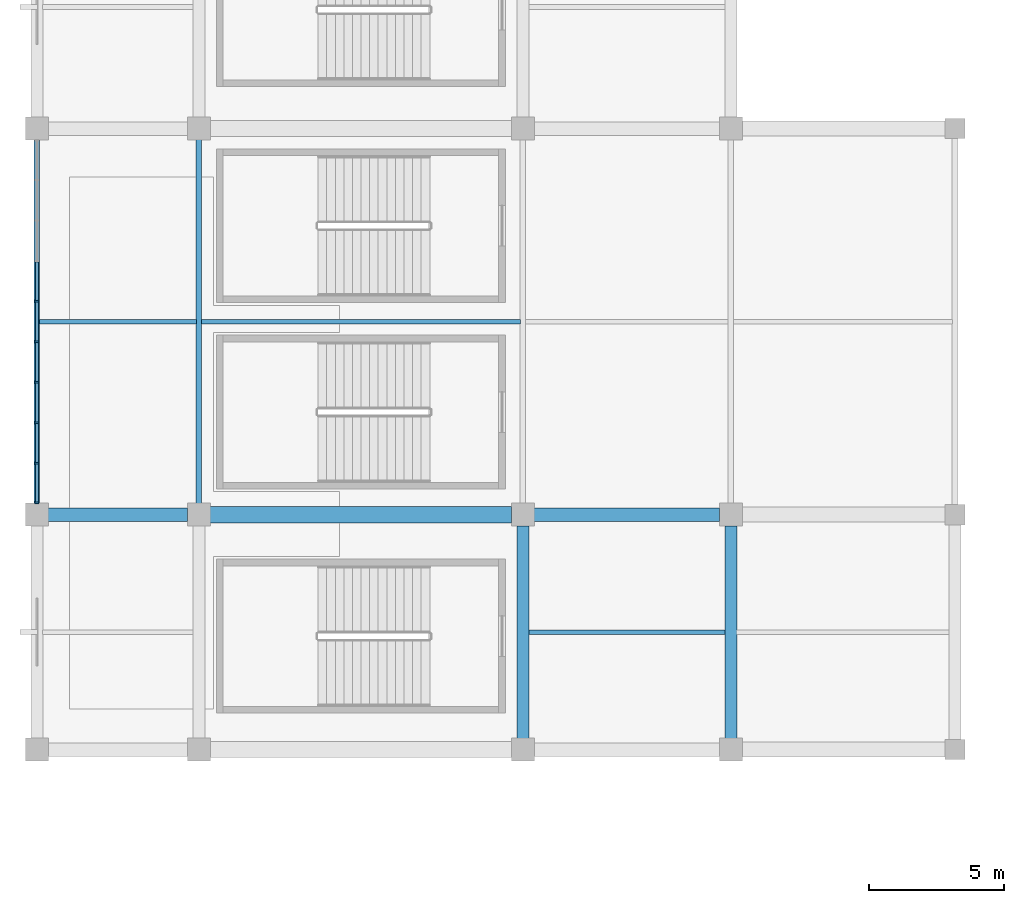
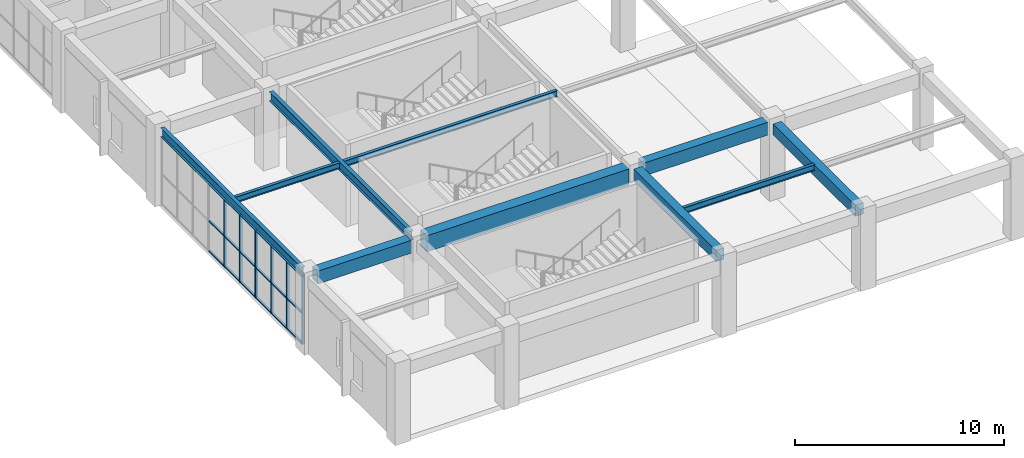
# One storey, part 14 of 112: 24 members, 10 beams, 1 element without a shape of its own.
"""IFC4 building model written with IfcOpenShell, lengths in metres."""

from ifc_helpers import new_model, si_unit, direction, frame, origin, origin_2d, place, context, subcontext, project, spatial, rectangle, i_section, extrude, material, material_profile, profile_set, type_object, element, aggregate, save


model = new_model("IFC4")

# Units and contexts
model_context = context("Model", 3, precision=1e-05, world=origin(), true_north=direction((0.0, 1.0)))
body_context = subcontext(model_context, "Body", "Model", "MODEL_VIEW")
ifc_project = project(units=[si_unit("LENGTHUNIT", "METRE"), si_unit("AREAUNIT", "SQUARE_METRE"), si_unit("VOLUMEUNIT", "CUBIC_METRE"), si_unit("PLANEANGLEUNIT", "RADIAN"), si_unit("MASSUNIT", "GRAM", prefix="KILO")], contexts=[model_context])

# Site, building, storey
site_placement = place(None, origin())
site = spatial("IfcSite", under=ifc_project, at=site_placement, CompositionType="ELEMENT")
building_placement = place(site_placement, origin())
building = spatial("IfcBuilding", under=site, at=building_placement, Name="Cuetzalor Civic Arena", CompositionType="ELEMENT")
storey_placement = place(building_placement, frame((0.0, 0.0, 11.39990234375)))
storey = spatial("IfcBuildingStorey", under=building, at=storey_placement, Name="L02", CompositionType="ELEMENT", Elevation=11.39990234375)

# Beams
ifc_material_1 = material(Name="Concrete C40/50", Category="concrete")
ifc_material_profile_1 = material_profile(ifc_material_1, rectangle(XDim=0.5, YDim=0.75, at=origin_2d()), Name="RC 500x750")
ifc_profile_set_1 = profile_set([ifc_material_profile_1], Name="Concrete C40/50")
beam_type_1 = type_object("IfcBeamType", Name="ConcreteFrameBeam_500x750", PredefinedType="BEAM", material=ifc_profile_set_1)
beam_1_placement = place(storey_placement, frame((-81.5849609375, -48.300048828125, 4.14501953125), z_axis=(1.0, 0.0, 0.0), x_axis=(0.0, 1.0, 0.0)))
element("IfcBeam", 1, at=beam_1_placement, inside=storey, type_object=beam_type_1, Name="Frame Girder V4W-L02-X0626", PredefinedType="BEAM", context=body_context, shape_type="SweptSolid", body=[
    extrude(rectangle(XDim=0.5, YDim=0.75, at=origin_2d()), origin(), (0.0, 0.0, 1.0), 5.169921875),
])
beam_2_placement = place(storey_placement, frame((-63.5849609375, -48.300048828125, 4.14501953125), z_axis=(1.0, 0.0, 0.0), x_axis=(0.0, 1.0, 0.0)))
element("IfcBeam", 2, at=beam_2_placement, inside=storey, type_object=beam_type_1, Name="Frame Girder V4W-L02-X0628", PredefinedType="BEAM", context=body_context, shape_type="SweptSolid", body=[
    extrude(rectangle(XDim=0.5, YDim=0.75, at=origin_2d()), origin(), (0.0, 0.0, 1.0), 6.869873046875),
])
ifc_material_2 = material(Name="Concrete C40/50", Category="concrete")
ifc_material_profile_2 = material_profile(ifc_material_2, rectangle(XDim=0.60009765625, YDim=0.949951171875, at=origin_2d()), Name="RC 600x950")
ifc_profile_set_2 = profile_set([ifc_material_profile_2], Name="Concrete C40/50")
beam_type_2 = type_object("IfcBeamType", Name="ConcreteFrameBeam_600x950", PredefinedType="BEAM", material=ifc_profile_set_2)
beam_3_placement = place(storey_placement, frame((-75.5849609375, -48.300048828125, 4.045166015625), z_axis=(1.0, 0.0, 0.0), x_axis=(0.0, 1.0, 0.0)))
element("IfcBeam", 3, at=beam_3_placement, inside=storey, type_object=beam_type_2, Name="Frame Girder V4W-L02-X0627", PredefinedType="BEAM", context=body_context, shape_type="SweptSolid", body=[
    extrude(rectangle(XDim=0.60009765625, YDim=0.949951171875, at=origin_2d()), origin(), (0.0, 0.0, 1.0), 11.169921875),
])
ifc_material_3 = material(Name="Concrete C40/50", Category="concrete")
ifc_material_profile_3 = material_profile(ifc_material_3, rectangle(XDim=0.449951171875, YDim=0.64990234375, at=origin_2d()), Name="RC 450x650")
ifc_profile_set_3 = profile_set([ifc_material_profile_3], Name="Concrete C40/50")
beam_type_3 = type_object("IfcBeamType", Name="ConcreteTieBeam_450x650", PredefinedType="BEAM", material=ifc_profile_set_3)
for number, where, z_axis, x_axis, name in (
    (4, (-64.0, -56.5849609375, 4.195068359375), (0.0, 1.0, 0.0), (-1.0, 0.0, 0.0), "Frame Girder V4W-L02-Y0678"),
    (5, (-56.300048828125, -56.5849609375, 4.135009765625), (0.0, 1.0, 0.0), (-1.0, 0.0, 0.0), "Frame Girder V4W-L02-Y0688"),
):
    element("IfcBeam", number, at=place(storey_placement, frame(where, z_axis=z_axis, x_axis=x_axis)), inside=storey, type_object=beam_type_3, Name=name, PredefinedType="BEAM", context=body_context, shape_type="SweptSolid", body=[
        extrude(rectangle(XDim=0.449951171875, YDim=0.64990234375, at=origin_2d()), origin(), (0.0, 0.0, 1.0), 7.869873046875),
    ])

# Curtain wall, members
ifc_material_4 = material(Name="Anodised dark bronze aluminium and low-E solar glass", Category="aluminium")
curtain_wall_type = type_object("IfcCurtainWallType", Name="UnitisedCW_13500x4000", PredefinedType="USERDEFINED", material=ifc_material_4)
curtain_wall_placement = place(storey_placement, origin())
curtain_wall = element("IfcCurtainWall", 6, at=curtain_wall_placement, inside=storey, type_object=curtain_wall_type, Name="V4W Suite Viewing Curtain Wall L02-113", ObjectType="UNITISED CURTAIN WALL", PredefinedType="USERDEFINED")
ifc_material_5 = material(Name="Anodised dark bronze aluminium", Category="aluminium")
ifc_material_profile_4 = material_profile(ifc_material_5, rectangle(XDim=0.06494140625, YDim=0.14990234375, at=origin_2d()), Name="ALU MULLION 65x150")
ifc_profile_set_4 = profile_set([ifc_material_profile_4], Name="Anodised dark bronze aluminium")
member_type_1 = type_object("IfcMemberType", Name="CurtainWallMullion_60x150", PredefinedType="MULLION", material=ifc_profile_set_4)
member_1_placement = place(storey_placement, frame((-82.0, -47.860595703125, 0.0), z_axis=(0.0, 0.0, 1.0), x_axis=(0.0, 1.0, 0.0)))
member_1 = element("IfcMember", 7, at=member_1_placement, type_object=member_type_1, Name="CW-40 mullion 1", PredefinedType="MULLION", context=body_context, shape_type="SweptSolid", body=[
    extrude(rectangle(XDim=0.06494140625, YDim=0.14990234375, at=origin_2d()), origin(), (0.0, 0.0, 1.0), 3.97705078125),
])
member_2_placement = place(storey_placement, frame((-82.0, -46.39453125, 0.0), z_axis=(0.0, 0.0, 1.0), x_axis=(0.0, 1.0, 0.0)))
member_2 = element("IfcMember", 8, at=member_2_placement, type_object=member_type_1, Name="CW-40 mullion 2", PredefinedType="MULLION", context=body_context, shape_type="SweptSolid", body=[
    extrude(rectangle(XDim=0.06494140625, YDim=0.14990234375, at=origin_2d()), origin(), (0.0, 0.0, 1.0), 3.97705078125),
])
member_3_placement = place(storey_placement, frame((-82.0, -44.89599609375, 0.0), z_axis=(0.0, 0.0, 1.0), x_axis=(0.0, 1.0, 0.0)))
member_3 = element("IfcMember", 9, at=member_3_placement, type_object=member_type_1, Name="CW-40 mullion 3", PredefinedType="MULLION", context=body_context, shape_type="SweptSolid", body=[
    extrude(rectangle(XDim=0.06494140625, YDim=0.14990234375, at=origin_2d()), origin(), (0.0, 0.0, 1.0), 3.97705078125),
])
member_4_placement = place(storey_placement, frame((-82.0, -43.397705078125, 0.0), z_axis=(0.0, 0.0, 1.0), x_axis=(0.0, 1.0, 0.0)))
member_4 = element("IfcMember", 10, at=member_4_placement, type_object=member_type_1, Name="CW-40 mullion 4", PredefinedType="MULLION", context=body_context, shape_type="SweptSolid", body=[
    extrude(rectangle(XDim=0.06494140625, YDim=0.14990234375, at=origin_2d()), origin(), (0.0, 0.0, 1.0), 3.97705078125),
])
member_5_placement = place(storey_placement, frame((-82.0, -41.899169921875, 0.0), z_axis=(0.0, 0.0, 1.0), x_axis=(0.0, 1.0, 0.0)))
member_5 = element("IfcMember", 11, at=member_5_placement, type_object=member_type_1, Name="CW-40 mullion 5", PredefinedType="MULLION", context=body_context, shape_type="SweptSolid", body=[
    extrude(rectangle(XDim=0.06494140625, YDim=0.14990234375, at=origin_2d()), origin(), (0.0, 0.0, 1.0), 3.97705078125),
])
member_6_placement = place(storey_placement, frame((-82.0, -40.40087890625, 0.0), z_axis=(0.0, 0.0, 1.0), x_axis=(0.0, 1.0, 0.0)))
member_6 = element("IfcMember", 12, at=member_6_placement, type_object=member_type_1, Name="CW-40 mullion 6", PredefinedType="MULLION", context=body_context, shape_type="SweptSolid", body=[
    extrude(rectangle(XDim=0.06494140625, YDim=0.14990234375, at=origin_2d()), origin(), (0.0, 0.0, 1.0), 3.97705078125),
])
ifc_material_6 = material(Name="Anodised dark bronze aluminium", Category="aluminium")
ifc_material_profile_5 = material_profile(ifc_material_6, rectangle(XDim=0.1201171875, YDim=0.06494140625, at=origin_2d()), Name="ALU TRANSOM 65x120")
ifc_profile_set_5 = profile_set([ifc_material_profile_5], Name="Anodised dark bronze aluminium")
member_type_2 = type_object("IfcMemberType", Name="CurtainWallTransom_60x120", PredefinedType="USERDEFINED", material=ifc_profile_set_5)
member_7_placement = place(storey_placement, frame((-82.0, -47.827880859375, 0.03271484375), z_axis=(0.0, 1.0, 0.0), x_axis=(-1.0, 0.0, 0.0)))
member_7 = element("IfcMember", 13, at=member_7_placement, type_object=member_type_2, Name="CW-40 transom 1.1", ObjectType="TRANSOM", PredefinedType="USERDEFINED", context=body_context, shape_type="SweptSolid", body=[
    extrude(rectangle(XDim=0.1201171875, YDim=0.06494140625, at=origin_2d()), origin(), (0.0, 0.0, 1.0), 1.40087890625),
])
member_8_placement = place(storey_placement, frame((-82.0, -47.827880859375, 1.7900390625), z_axis=(0.0, 1.0, 0.0), x_axis=(-1.0, 0.0, 0.0)))
member_8 = element("IfcMember", 14, at=member_8_placement, type_object=member_type_2, Name="CW-40 transom 1.2", ObjectType="TRANSOM", PredefinedType="USERDEFINED", context=body_context, shape_type="SweptSolid", body=[
    extrude(rectangle(XDim=0.1201171875, YDim=0.06494140625, at=origin_2d()), origin(), (0.0, 0.0, 1.0), 1.40087890625),
])
member_9_placement = place(storey_placement, frame((-82.0, -47.827880859375, 3.944580078125), z_axis=(0.0, 1.0, 0.0), x_axis=(-1.0, 0.0, 0.0)))
member_9 = element("IfcMember", 15, at=member_9_placement, type_object=member_type_2, Name="CW-40 transom 1.3", ObjectType="TRANSOM", PredefinedType="USERDEFINED", context=body_context, shape_type="SweptSolid", body=[
    extrude(rectangle(XDim=0.1201171875, YDim=0.06494140625, at=origin_2d()), origin(), (0.0, 0.0, 1.0), 1.40087890625),
])
member_10_placement = place(storey_placement, frame((-82.0, -46.362060546875, 0.03271484375), z_axis=(0.0, 1.0, 0.0), x_axis=(-1.0, 0.0, 0.0)))
member_10 = element("IfcMember", 16, at=member_10_placement, type_object=member_type_2, Name="CW-40 transom 2.1", ObjectType="TRANSOM", PredefinedType="USERDEFINED", context=body_context, shape_type="SweptSolid", body=[
    extrude(rectangle(XDim=0.1201171875, YDim=0.06494140625, at=origin_2d()), origin(), (0.0, 0.0, 1.0), 1.433349609375),
])
member_11_placement = place(storey_placement, frame((-82.0, -46.362060546875, 1.7900390625), z_axis=(0.0, 1.0, 0.0), x_axis=(-1.0, 0.0, 0.0)))
member_11 = element("IfcMember", 17, at=member_11_placement, type_object=member_type_2, Name="CW-40 transom 2.2", ObjectType="TRANSOM", PredefinedType="USERDEFINED", context=body_context, shape_type="SweptSolid", body=[
    extrude(rectangle(XDim=0.1201171875, YDim=0.06494140625, at=origin_2d()), origin(), (0.0, 0.0, 1.0), 1.433349609375),
])
member_12_placement = place(storey_placement, frame((-82.0, -46.362060546875, 3.944580078125), z_axis=(0.0, 1.0, 0.0), x_axis=(-1.0, 0.0, 0.0)))
member_12 = element("IfcMember", 18, at=member_12_placement, type_object=member_type_2, Name="CW-40 transom 2.3", ObjectType="TRANSOM", PredefinedType="USERDEFINED", context=body_context, shape_type="SweptSolid", body=[
    extrude(rectangle(XDim=0.1201171875, YDim=0.06494140625, at=origin_2d()), origin(), (0.0, 0.0, 1.0), 1.433349609375),
])
member_13_placement = place(storey_placement, frame((-82.0, -44.863525390625, 0.03271484375), z_axis=(0.0, 1.0, 0.0), x_axis=(-1.0, 0.0, 0.0)))
member_13 = element("IfcMember", 19, at=member_13_placement, type_object=member_type_2, Name="CW-40 transom 3.1", ObjectType="TRANSOM", PredefinedType="USERDEFINED", context=body_context, shape_type="SweptSolid", body=[
    extrude(rectangle(XDim=0.1201171875, YDim=0.06494140625, at=origin_2d()), origin(), (0.0, 0.0, 1.0), 1.433349609375),
])
member_14_placement = place(storey_placement, frame((-82.0, -44.863525390625, 1.7900390625), z_axis=(0.0, 1.0, 0.0), x_axis=(-1.0, 0.0, 0.0)))
member_14 = element("IfcMember", 20, at=member_14_placement, type_object=member_type_2, Name="CW-40 transom 3.2", ObjectType="TRANSOM", PredefinedType="USERDEFINED", context=body_context, shape_type="SweptSolid", body=[
    extrude(rectangle(XDim=0.1201171875, YDim=0.06494140625, at=origin_2d()), origin(), (0.0, 0.0, 1.0), 1.433349609375),
])
member_15_placement = place(storey_placement, frame((-82.0, -44.863525390625, 3.944580078125), z_axis=(0.0, 1.0, 0.0), x_axis=(-1.0, 0.0, 0.0)))
member_15 = element("IfcMember", 21, at=member_15_placement, type_object=member_type_2, Name="CW-40 transom 3.3", ObjectType="TRANSOM", PredefinedType="USERDEFINED", context=body_context, shape_type="SweptSolid", body=[
    extrude(rectangle(XDim=0.1201171875, YDim=0.06494140625, at=origin_2d()), origin(), (0.0, 0.0, 1.0), 1.433349609375),
])
member_16_placement = place(storey_placement, frame((-82.0, -43.365234375, 0.03271484375), z_axis=(0.0, 1.0, 0.0), x_axis=(-1.0, 0.0, 0.0)))
member_16 = element("IfcMember", 22, at=member_16_placement, type_object=member_type_2, Name="CW-40 transom 4.1", ObjectType="TRANSOM", PredefinedType="USERDEFINED", context=body_context, shape_type="SweptSolid", body=[
    extrude(rectangle(XDim=0.1201171875, YDim=0.06494140625, at=origin_2d()), origin(), (0.0, 0.0, 1.0), 1.43359375),
])
member_17_placement = place(storey_placement, frame((-82.0, -43.365234375, 1.7900390625), z_axis=(0.0, 1.0, 0.0), x_axis=(-1.0, 0.0, 0.0)))
member_17 = element("IfcMember", 23, at=member_17_placement, type_object=member_type_2, Name="CW-40 transom 4.2", ObjectType="TRANSOM", PredefinedType="USERDEFINED", context=body_context, shape_type="SweptSolid", body=[
    extrude(rectangle(XDim=0.1201171875, YDim=0.06494140625, at=origin_2d()), origin(), (0.0, 0.0, 1.0), 1.43359375),
])
member_18_placement = place(storey_placement, frame((-82.0, -43.365234375, 3.944580078125), z_axis=(0.0, 1.0, 0.0), x_axis=(-1.0, 0.0, 0.0)))
member_18 = element("IfcMember", 24, at=member_18_placement, type_object=member_type_2, Name="CW-40 transom 4.3", ObjectType="TRANSOM", PredefinedType="USERDEFINED", context=body_context, shape_type="SweptSolid", body=[
    extrude(rectangle(XDim=0.1201171875, YDim=0.06494140625, at=origin_2d()), origin(), (0.0, 0.0, 1.0), 1.43359375),
])
member_19_placement = place(storey_placement, frame((-82.0, -41.86669921875, 0.03271484375), z_axis=(0.0, 1.0, 0.0), x_axis=(-1.0, 0.0, 0.0)))
member_19 = element("IfcMember", 25, at=member_19_placement, type_object=member_type_2, Name="CW-40 transom 5.1", ObjectType="TRANSOM", PredefinedType="USERDEFINED", context=body_context, shape_type="SweptSolid", body=[
    extrude(rectangle(XDim=0.1201171875, YDim=0.06494140625, at=origin_2d()), origin(), (0.0, 0.0, 1.0), 1.433349609375),
])
member_20_placement = place(storey_placement, frame((-82.0, -41.86669921875, 1.7900390625), z_axis=(0.0, 1.0, 0.0), x_axis=(-1.0, 0.0, 0.0)))
member_20 = element("IfcMember", 26, at=member_20_placement, type_object=member_type_2, Name="CW-40 transom 5.2", ObjectType="TRANSOM", PredefinedType="USERDEFINED", context=body_context, shape_type="SweptSolid", body=[
    extrude(rectangle(XDim=0.1201171875, YDim=0.06494140625, at=origin_2d()), origin(), (0.0, 0.0, 1.0), 1.433349609375),
])
member_21_placement = place(storey_placement, frame((-82.0, -41.86669921875, 3.944580078125), z_axis=(0.0, 1.0, 0.0), x_axis=(-1.0, 0.0, 0.0)))
member_21 = element("IfcMember", 27, at=member_21_placement, type_object=member_type_2, Name="CW-40 transom 5.3", ObjectType="TRANSOM", PredefinedType="USERDEFINED", context=body_context, shape_type="SweptSolid", body=[
    extrude(rectangle(XDim=0.1201171875, YDim=0.06494140625, at=origin_2d()), origin(), (0.0, 0.0, 1.0), 1.433349609375),
])
member_22_placement = place(storey_placement, frame((-82.0, -40.3681640625, 0.03271484375), z_axis=(0.0, 1.0, 0.0), x_axis=(-1.0, 0.0, 0.0)))
member_22 = element("IfcMember", 28, at=member_22_placement, type_object=member_type_2, Name="CW-40 transom 6.1", ObjectType="TRANSOM", PredefinedType="USERDEFINED", context=body_context, shape_type="SweptSolid", body=[
    extrude(rectangle(XDim=0.1201171875, YDim=0.06494140625, at=origin_2d()), origin(), (0.0, 0.0, 1.0), 1.433349609375),
])
member_23_placement = place(storey_placement, frame((-82.0, -40.3681640625, 1.7900390625), z_axis=(0.0, 1.0, 0.0), x_axis=(-1.0, 0.0, 0.0)))
member_23 = element("IfcMember", 29, at=member_23_placement, type_object=member_type_2, Name="CW-40 transom 6.2", ObjectType="TRANSOM", PredefinedType="USERDEFINED", context=body_context, shape_type="SweptSolid", body=[
    extrude(rectangle(XDim=0.1201171875, YDim=0.06494140625, at=origin_2d()), origin(), (0.0, 0.0, 1.0), 1.433349609375),
])
member_24_placement = place(storey_placement, frame((-82.0, -40.3681640625, 3.944580078125), z_axis=(0.0, 1.0, 0.0), x_axis=(-1.0, 0.0, 0.0)))
member_24 = element("IfcMember", 30, at=member_24_placement, type_object=member_type_2, Name="CW-40 transom 6.3", ObjectType="TRANSOM", PredefinedType="USERDEFINED", context=body_context, shape_type="SweptSolid", body=[
    extrude(rectangle(XDim=0.1201171875, YDim=0.06494140625, at=origin_2d()), origin(), (0.0, 0.0, 1.0), 1.433349609375),
])
aggregate(curtain_wall, [member_1, member_2, member_3, member_4, member_5, member_6, member_7, member_8, member_9, member_10, member_11, member_12, member_13, member_14, member_15, member_16, member_17, member_18, member_19, member_20, member_21, member_22, member_23, member_24])

# Beams
ifc_material_7 = material(Name="Steel S355", Category="steel")
ifc_material_profile_6 = material_profile(ifc_material_7, i_section(OverallWidth=0.1708984375, OverallDepth=0.35498046875, WebThickness=0.007080078125, FlangeThickness=0.01171875, at=origin_2d()), Name="W360x51")
ifc_profile_set_6 = profile_set([ifc_material_profile_6], Name="Steel S355")
beam_type_4 = type_object("IfcBeamType", Name="SecondaryFloorJoist_W360", PredefinedType="JOIST", material=ifc_profile_set_6)
beam_4_placement = place(storey_placement, frame((-81.903564453125, -41.14990234375, 4.342529296875), z_axis=(1.0, 0.0, 0.0), x_axis=(0.0, 1.0, 0.0)))
element("IfcBeam", 31, at=beam_4_placement, inside=storey, type_object=beam_type_4, Name="Secondary Floor Joist V4W-L02-0190", PredefinedType="JOIST", context=body_context, shape_type="SweptSolid", body=[
    extrude(i_section(OverallWidth=0.1708984375, OverallDepth=0.35498046875, WebThickness=0.007080078125, FlangeThickness=0.01171875, at=origin_2d()), origin(), (0.0, 0.0, 1.0), 5.80712890625),
])
beam_5_placement = place(storey_placement, frame((-75.903564453125, -41.14990234375, 4.342529296875), z_axis=(1.0, 0.0, 0.0), x_axis=(0.0, 1.0, 0.0)))
element("IfcBeam", 32, at=beam_5_placement, inside=storey, type_object=beam_type_4, Name="Secondary Floor Joist V4W-L02-0199", PredefinedType="JOIST", context=body_context, shape_type="SweptSolid", body=[
    extrude(i_section(OverallWidth=0.1708984375, OverallDepth=0.35498046875, WebThickness=0.007080078125, FlangeThickness=0.01171875, at=origin_2d()), origin(), (0.0, 0.0, 1.0), 11.80712890625),
])
beam_6_placement = place(storey_placement, frame((-63.782958984375, -52.64990234375, 4.342529296875), z_axis=(1.0, 0.0, 0.0), x_axis=(0.0, 1.0, 0.0)))
element("IfcBeam", 33, at=beam_6_placement, inside=storey, type_object=beam_type_4, Name="Secondary Floor Joist V4W-L02-0206", PredefinedType="JOIST", context=body_context, shape_type="SweptSolid", body=[
    extrude(i_section(OverallWidth=0.1708984375, OverallDepth=0.35498046875, WebThickness=0.007080078125, FlangeThickness=0.01171875, at=origin_2d()), origin(), (0.0, 0.0, 1.0), 7.265869140625),
])
ifc_material_8 = material(Name="Steel S355", Category="steel")
ifc_material_profile_7 = material_profile(ifc_material_8, i_section(OverallWidth=0.208984375, OverallDepth=0.532958984375, WebThickness=0.01025390625, FlangeThickness=0.015625, at=origin_2d()), Name="W530x92")
ifc_profile_set_7 = profile_set([ifc_material_profile_7], Name="Steel S355")
beam_type_5 = type_object("IfcBeamType", Name="SteelCollarGirder_W530", PredefinedType="BEAM", material=ifc_profile_set_7)
for number, where, z_axis, x_axis, name in (
    (34, (-82.0, -47.885009765625, 4.253662109375), (0.0, 1.0, 0.0), (-1.0, 0.0, 0.0), "Frame Girder V4W-L02-Y0659"),
    (35, (-76.0, -47.885009765625, 4.253662109375), (0.0, 1.0, 0.0), (-1.0, 0.0, 0.0), "Frame Girder V4W-L02-Y0669"),
):
    element("IfcBeam", number, at=place(storey_placement, frame(where, z_axis=z_axis, x_axis=x_axis)), inside=storey, type_object=beam_type_5, Name=name, PredefinedType="BEAM", context=body_context, shape_type="SweptSolid", body=[
        extrude(i_section(OverallWidth=0.208984375, OverallDepth=0.532958984375, WebThickness=0.01025390625, FlangeThickness=0.015625, at=origin_2d()), origin(), (0.0, 0.0, 1.0), 13.469970703125),
    ])

save(model, "model.ifc")
